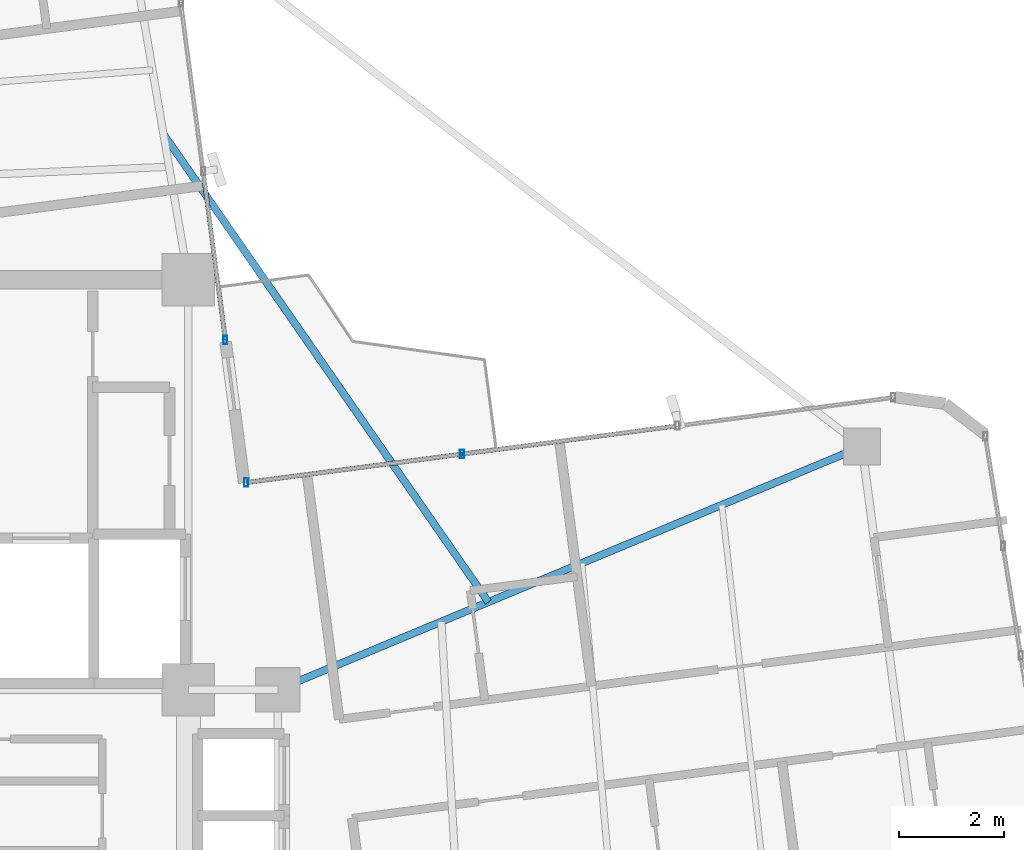
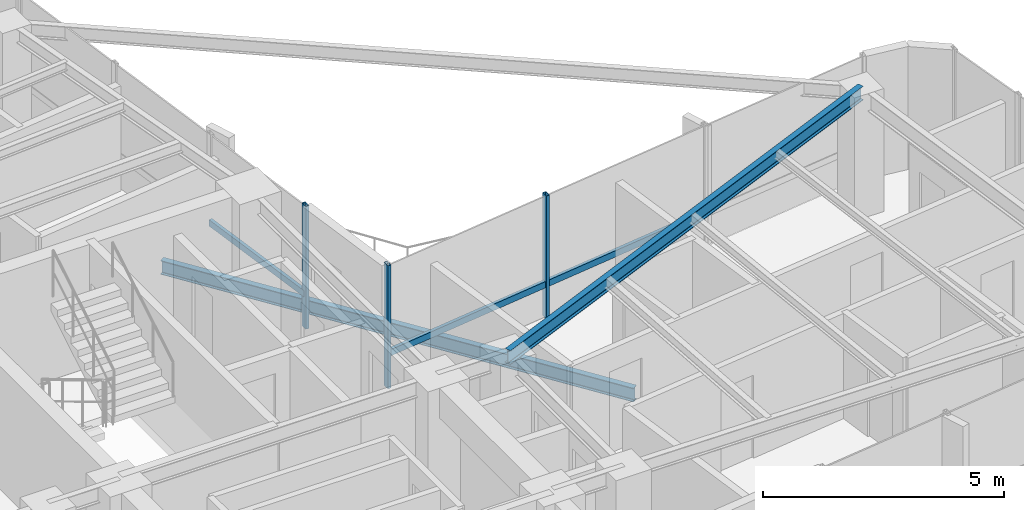
# One storey, part 10 of 21: 6 members, 2 beams, 2 elements without a shape of their own.
"""IFC4 building model written with IfcOpenShell, lengths in metres."""

from ifc_helpers import new_model, si_unit, direction, frame, origin, origin_2d, place, context, subcontext, project, spatial, hollow_rectangle, i_section, extrude, source, transform, mapped, material, material_profile, profile_set, type_object, element, aggregate, save


model = new_model("IFC4")

# Units and contexts
model_context = context("Model", 3, precision=1e-05, world=origin(), true_north=direction((0.0, 1.0)))
body_context = subcontext(model_context, "Body", "Model", "MODEL_VIEW")
ifc_project = project(units=[si_unit("LENGTHUNIT", "METRE"), si_unit("AREAUNIT", "SQUARE_METRE"), si_unit("VOLUMEUNIT", "CUBIC_METRE"), si_unit("PLANEANGLEUNIT", "RADIAN"), si_unit("MASSUNIT", "GRAM", prefix="KILO")], contexts=[model_context])

# Site, building, storey
site_placement = place(None, origin())
site = spatial("IfcSite", under=ifc_project, at=site_placement, CompositionType="ELEMENT")
building_placement = place(site_placement, origin())
building = spatial("IfcBuilding", under=site, at=building_placement, Name="Sahyath Konkavel Grand Hotel", CompositionType="ELEMENT")
storey_placement = place(building_placement, frame((0.0, 0.0, 219.89990234375)))
storey = spatial("IfcBuildingStorey", under=building, at=storey_placement, Name="L61", CompositionType="ELEMENT", Elevation=219.89990234375)

# Beam
ifc_material_1 = material(Name="Steel E350", Category="steel")
ifc_material_profile_1 = material_profile(ifc_material_1, i_section(OverallWidth=0.139892578125, OverallDepth=0.35009765625, WebThickness=0.008056640625, FlangeThickness=0.01416015625, FilletRadius=0.013916015625, at=origin_2d()), Name="ISMB 350")
ifc_profile_set_1 = profile_set([ifc_material_profile_1], Name="Steel E350")
beam_type_1 = type_object("IfcBeamType", Name="BM-ISMB350", PredefinedType="BEAM", material=ifc_profile_set_1)
shared_shape_1 = source(origin(), body_context, "Body", "SweptSolid", [
    extrude(i_section(OverallWidth=0.139892578125, OverallDepth=0.35009765625, WebThickness=0.008056640625, FlangeThickness=0.01416015625, FilletRadius=0.013916015625, at=origin_2d()), origin(), (0.0, 0.0, 1.0), 12.0361328125),
])
beam_1_placement = place(storey_placement, frame((5.5, 2.39990234375, 2.93505859375), z_axis=(0.923242469415, 0.384217832315, 0.0), x_axis=(-0.384217832315, 0.923242469415, 0.0)))
element("IfcBeam", 1, at=beam_1_placement, inside=storey, type_object=beam_type_1, Name="L61 Cruciform Radial Girder EB", PredefinedType="BEAM", context=body_context, shape_type="MappedRepresentation", body=[
    mapped(shared_shape_1, transform((0.0, 0.0, 0.0), scale=1.0)),
])

# Curtain wall, members
ifc_material_2 = material(Name="Anodised Bronze Aluminium & Low-E Glazing", Category="aluminium")
curtain_wall_type = type_object("IfcCurtainWallType", Name="CW-ZONE4", PredefinedType="NOTDEFINED", material=ifc_material_2)
curtain_wall_1_placement = place(storey_placement, origin())
curtain_wall_1 = element("IfcCurtainWall", 2, at=curtain_wall_1_placement, inside=storey, type_object=curtain_wall_type, Name="L61 Unitised Curtain Wall F7", PredefinedType="NOTDEFINED")
ifc_material_3 = material(Name="Anodised Bronze Aluminium", Category="aluminium")
ifc_material_profile_2 = material_profile(ifc_material_3, hollow_rectangle(XDim=0.080078125, YDim=0.159912109375, WallThickness=0.006103515625, at=origin_2d()), Name="RHS 160x80x6")
ifc_profile_set_2 = profile_set([ifc_material_profile_2], Name="Anodised Bronze Aluminium")
member_type_1 = type_object("IfcMemberType", Name="CW-MUL-160", PredefinedType="MULLION", material=ifc_profile_set_2)
shared_shape_2 = source(origin(), body_context, "Body", "SweptSolid", [
    extrude(hollow_rectangle(XDim=0.080078125, YDim=0.159912109375, WallThickness=0.006103515625, at=origin_2d()), origin(), (0.0, 0.0, 1.0), 3.110107421875),
])
member_1_placement = place(storey_placement, frame((9.001953125, 6.8798828125, 0.0), z_axis=(0.0, 0.0, 1.0), x_axis=(1.0, 0.0, 0.0)))
member_1 = element("IfcMember", 3, at=member_1_placement, type_object=member_type_1, Name="L61 Curtain Wall Mullion F7-2", PredefinedType="MULLION", context=body_context, shape_type="MappedRepresentation", body=[
    mapped(shared_shape_2, transform((0.0, 0.0, 0.0), scale=1.0)),
])
member_2_placement = place(storey_placement, frame((4.900390625, 6.33984375, 0.0), z_axis=(0.0, 0.0, 1.0), x_axis=(1.0, 0.0, 0.0)))
member_2 = element("IfcMember", 4, at=member_2_placement, type_object=member_type_1, Name="L61 Curtain Wall Mullion F7-3", PredefinedType="MULLION", context=body_context, shape_type="MappedRepresentation", body=[
    mapped(shared_shape_2, transform((0.0, 0.0, 0.0), scale=1.0)),
])

# Curtain wall, member
curtain_wall_2_placement = place(storey_placement, origin())
curtain_wall_2 = element("IfcCurtainWall", 5, at=curtain_wall_2_placement, inside=storey, type_object=curtain_wall_type, Name="L61 Unitised Curtain Wall F8", PredefinedType="NOTDEFINED")
member_3_placement = place(storey_placement, frame((4.503173828125, 9.05126953125, 0.0), z_axis=(0.0, 0.0, 1.0), x_axis=(1.0, 0.0, 0.0)))
member_3 = element("IfcMember", 6, at=member_3_placement, type_object=member_type_1, Name="L61 Curtain Wall Mullion F8-0", PredefinedType="MULLION", context=body_context, shape_type="MappedRepresentation", body=[
    mapped(shared_shape_2, transform((0.0, 0.0, 0.0), scale=1.0)),
])

# Beam
ifc_material_profile_3 = material_profile(ifc_material_1, i_section(OverallWidth=0.139892578125, OverallDepth=0.35009765625, WebThickness=0.008056640625, FlangeThickness=0.01416015625, FilletRadius=0.013916015625, at=origin_2d()), Name="ISMB 350")
ifc_profile_set_3 = profile_set([ifc_material_profile_3], Name="Steel E350")
beam_type_2 = type_object("IfcBeamType", Name="BM-BALC-CANT", PredefinedType="BEAM", material=ifc_profile_set_3)
shared_shape_3 = source(origin(), body_context, "Body", "SweptSolid", [
    extrude(i_section(OverallWidth=0.139892578125, OverallDepth=0.35009765625, WebThickness=0.008056640625, FlangeThickness=0.01416015625, FilletRadius=0.013916015625, at=origin_2d()), origin(), (0.0, 0.0, 1.0), 10.831298828125),
])
beam_2_placement = place(storey_placement, frame((9.5048828125, 4.06689453125, -0.414794921875), z_axis=(-0.570310057725, 0.821429508879, 0.0), x_axis=(-0.821429508879, -0.570310057725, 0.0)))
element("IfcBeam", 7, at=beam_2_placement, inside=storey, type_object=beam_type_2, Name="L61 Balcony Cantilever Support Beam NE", PredefinedType="BEAM", context=body_context, shape_type="MappedRepresentation", body=[
    mapped(shared_shape_3, transform((0.0, 0.0, 0.0), scale=1.0)),
])

# Member
ifc_material_profile_4 = material_profile(ifc_material_3, hollow_rectangle(XDim=0.080078125, YDim=0.159912109375, WallThickness=0.006103515625, at=origin_2d()), Name="RHS 160x80x6")
ifc_profile_set_4 = profile_set([ifc_material_profile_4], Name="Anodised Bronze Aluminium")
member_type_2 = type_object("IfcMemberType", Name="CW-TRN-160", PredefinedType="USERDEFINED", material=ifc_profile_set_4)
shared_shape_4 = source(origin(), body_context, "Body", "SweptSolid", [
    extrude(hollow_rectangle(XDim=0.080078125, YDim=0.159912109375, WallThickness=0.006103515625, at=origin_2d()), origin(), (0.0, 0.0, 1.0), 3.23681640625),
])
member_4_placement = place(storey_placement, frame((4.503173828125, 9.05126953125, 0.85009765625), z_axis=(-0.130557917404, 0.991440684158, 0.0), x_axis=(-0.991440684158, -0.130557917404, 0.0)))
member_4 = element("IfcMember", 8, at=member_4_placement, type_object=member_type_2, Name="L61 Curtain Wall Transom F8-0-spandrel", ObjectType="TRANSOM", PredefinedType="USERDEFINED", context=body_context, shape_type="MappedRepresentation", body=[
    mapped(shared_shape_4, transform((0.0, 0.0, 0.0), scale=1.0)),
])

aggregate(curtain_wall_2, [member_3, member_4])

shared_shape_5 = source(origin(), body_context, "Body", "SweptSolid", [
    extrude(hollow_rectangle(XDim=0.080078125, YDim=0.159912109375, WallThickness=0.006103515625, at=origin_2d()), origin(), (0.0, 0.0, 1.0), 4.136962890625),
])
member_5_placement = place(storey_placement, frame((13.103515625, 7.419921875, 0.85009765625), z_axis=(-0.991443043354, -0.130540000708, 0.0), x_axis=(0.130540000708, -0.991443043354, 0.0)))
member_5 = element("IfcMember", 9, at=member_5_placement, type_object=member_type_2, Name="L61 Curtain Wall Transom F7-1-spandrel", ObjectType="TRANSOM", PredefinedType="USERDEFINED", context=body_context, shape_type="MappedRepresentation", body=[
    mapped(shared_shape_5, transform((0.0, 0.0, 0.0), scale=1.0)),
])

member_6_placement = place(storey_placement, frame((9.001953125, 6.8798828125, 0.85009765625), z_axis=(-0.991443043354, -0.130540000708, 0.0), x_axis=(0.130540000708, -0.991443043354, 0.0)))
member_6 = element("IfcMember", 10, at=member_6_placement, type_object=member_type_2, Name="L61 Curtain Wall Transom F7-2-spandrel", ObjectType="TRANSOM", PredefinedType="USERDEFINED", context=body_context, shape_type="MappedRepresentation", body=[
    mapped(shared_shape_5, transform((0.0, 0.0, 0.0), scale=1.0)),
])

aggregate(curtain_wall_1, [member_1, member_2, member_5, member_6])

save(model, "model.ifc")
